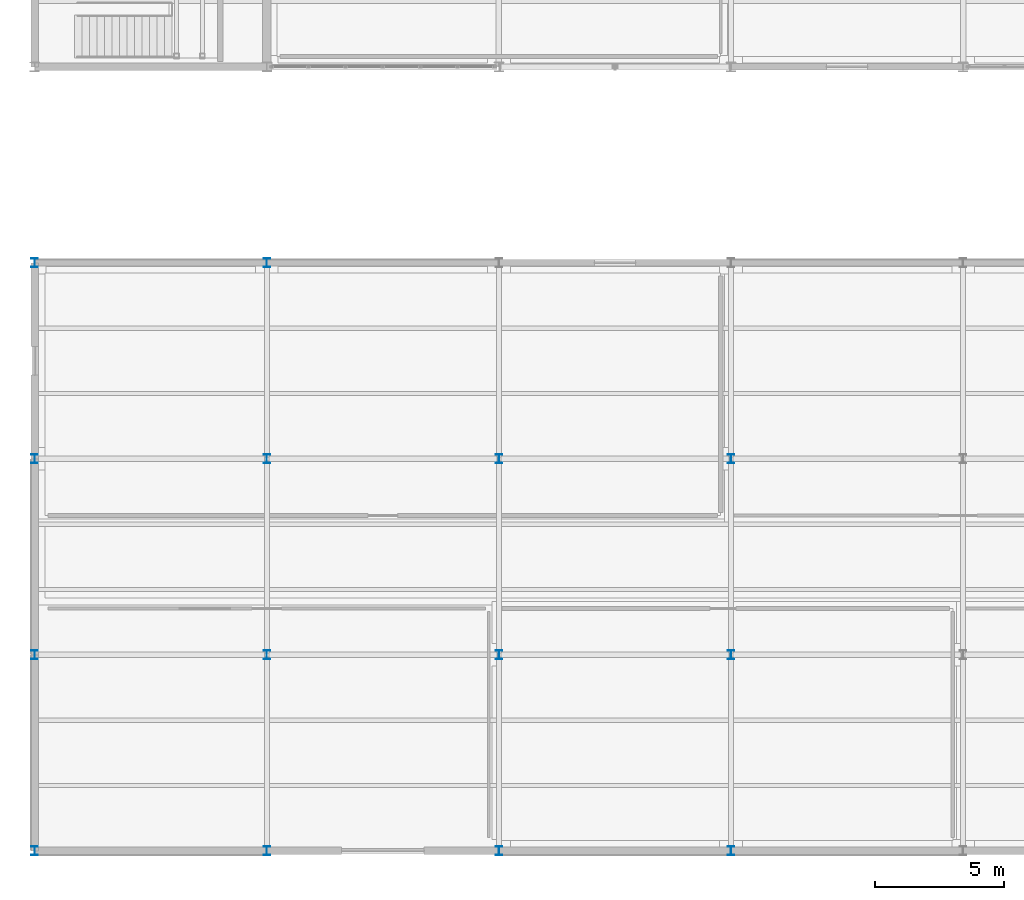
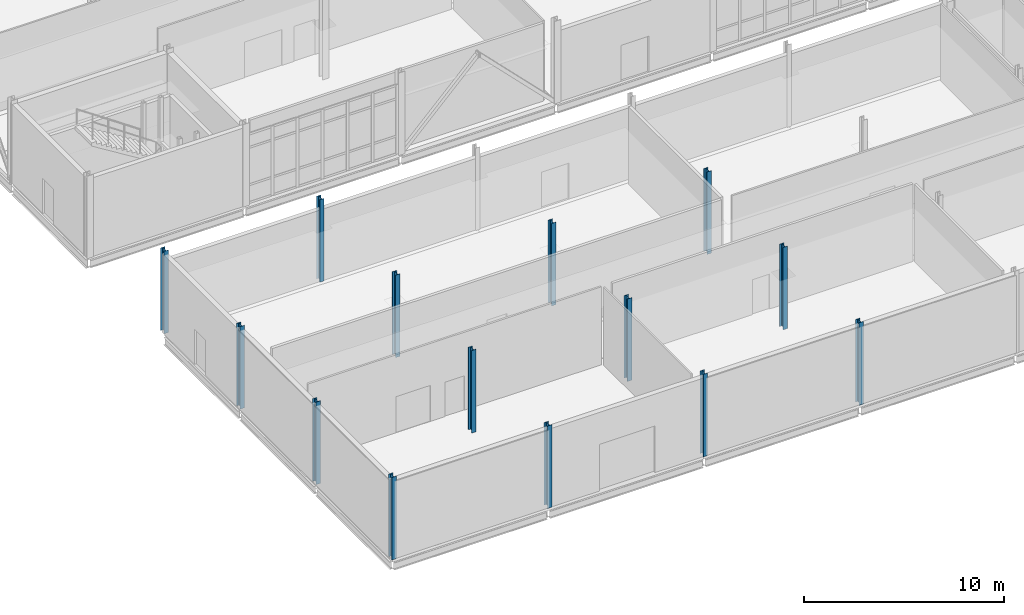
# One storey, part 2 of 161: 14 columns.
"""IFC4 building model written with IfcOpenShell, lengths in metres."""

from ifc_helpers import new_model, si_unit, direction, frame, origin, origin_2d, place, context, subcontext, project, spatial, i_section, extrude, material, material_profile, profile_set, type_object, element, save


model = new_model("IFC4")

# Units and contexts
model_context = context("Model", 3, precision=1e-05, world=origin(), true_north=direction((0.0, 1.0)))
body_context = subcontext(model_context, "Body", "Model", "MODEL_VIEW")
ifc_project = project(units=[si_unit("LENGTHUNIT", "METRE"), si_unit("AREAUNIT", "SQUARE_METRE"), si_unit("VOLUMEUNIT", "CUBIC_METRE"), si_unit("PLANEANGLEUNIT", "RADIAN"), si_unit("MASSUNIT", "GRAM", prefix="KILO")], contexts=[model_context])

# Site, building, storey
site_placement = place(None, origin())
site = spatial("IfcSite", under=ifc_project, at=site_placement, CompositionType="ELEMENT")
building_placement = place(site_placement, origin())
building = spatial("IfcBuilding", under=site, at=building_placement, Name="Caisbarro Railhouse Central Library", CompositionType="ELEMENT")
storey_placement = place(building_placement, origin())
storey = spatial("IfcBuildingStorey", under=building, at=storey_placement, Name="L00", CompositionType="ELEMENT", Elevation=0.0)

# Columns
ifc_material = material(Name="Steel ASTM A572 Grade 50", Category="steel")
ifc_material_profile = material_profile(ifc_material, i_section(OverallWidth=0.25390625, OverallDepth=0.35302734375, WebThickness=0.009521484375, FlangeThickness=0.016357421875, FilletRadius=0.014892578125, at=origin_2d()), Name="W360X91.0")
ifc_profile_set = profile_set([ifc_material_profile], Name="Steel ASTM A572 Grade 50")
column_type = type_object("IfcColumnType", Name="COL-C05", PredefinedType="COLUMN", material=ifc_profile_set)
for number, where, z_axis, x_axis, name in (
    (1, (0.0, 0.0, 0.0), (0.0, 0.0, 1.0), (1.0, 0.0, 0.0), "C05 column L00 (0.0,0.0)"),
    (2, (0.0, 7.60009765625, 0.0), (0.0, 0.0, 1.0), (1.0, 0.0, 0.0), "C05 column L00 (0.0,7.6)"),
    (3, (0.0, 15.199951171875, 0.0), (0.0, 0.0, 1.0), (1.0, 0.0, 0.0), "C05 column L00 (0.0,15.2)"),
    (4, (0.0, 22.800048828125, 0.0), (0.0, 0.0, 1.0), (1.0, 0.0, 0.0), "C05 column L00 (0.0,22.8)"),
    (5, (9.0, 0.0, 0.0), (0.0, 0.0, 1.0), (1.0, 0.0, 0.0), "C05 column L00 (9.0,0.0)"),
    (6, (9.0, 7.60009765625, 0.0), (0.0, 0.0, 1.0), (1.0, 0.0, 0.0), "C05 column L00 (9.0,7.6)"),
    (7, (9.0, 15.199951171875, 0.0), (0.0, 0.0, 1.0), (1.0, 0.0, 0.0), "C05 column L00 (9.0,15.2)"),
    (8, (9.0, 22.800048828125, 0.0), (0.0, 0.0, 1.0), (1.0, 0.0, 0.0), "C05 column L00 (9.0,22.8)"),
    (9, (18.0, 0.0, 0.0), (0.0, 0.0, 1.0), (1.0, 0.0, 0.0), "C05 column L00 (18.0,0.0)"),
    (10, (18.0, 7.60009765625, 0.0), (0.0, 0.0, 1.0), (1.0, 0.0, 0.0), "C05 column L00 (18.0,7.6)"),
    (11, (18.0, 15.199951171875, 0.0), (0.0, 0.0, 1.0), (1.0, 0.0, 0.0), "C05 column L00 (18.0,15.2)"),
    (12, (27.0, 0.0, 0.0), (0.0, 0.0, 1.0), (1.0, 0.0, 0.0), "C05 column L00 (27.0,0.0)"),
    (13, (27.0, 7.60009765625, 0.0), (0.0, 0.0, 1.0), (1.0, 0.0, 0.0), "C05 column L00 (27.0,7.6)"),
    (14, (27.0, 15.199951171875, 0.0), (0.0, 0.0, 1.0), (1.0, 0.0, 0.0), "C05 column L00 (27.0,15.2)"),
):
    element("IfcColumn", number, at=place(storey_placement, frame(where, z_axis=z_axis, x_axis=x_axis)), inside=storey, type_object=column_type, Name=name, PredefinedType="COLUMN", context=body_context, shape_type="SweptSolid", body=[
        extrude(i_section(OverallWidth=0.25390625, OverallDepth=0.35302734375, WebThickness=0.009521484375, FlangeThickness=0.016357421875, FilletRadius=0.014892578125, at=origin_2d()), origin(), (0.0, 0.0, 1.0), 5.0400390625),
    ])

save(model, "model.ifc")
